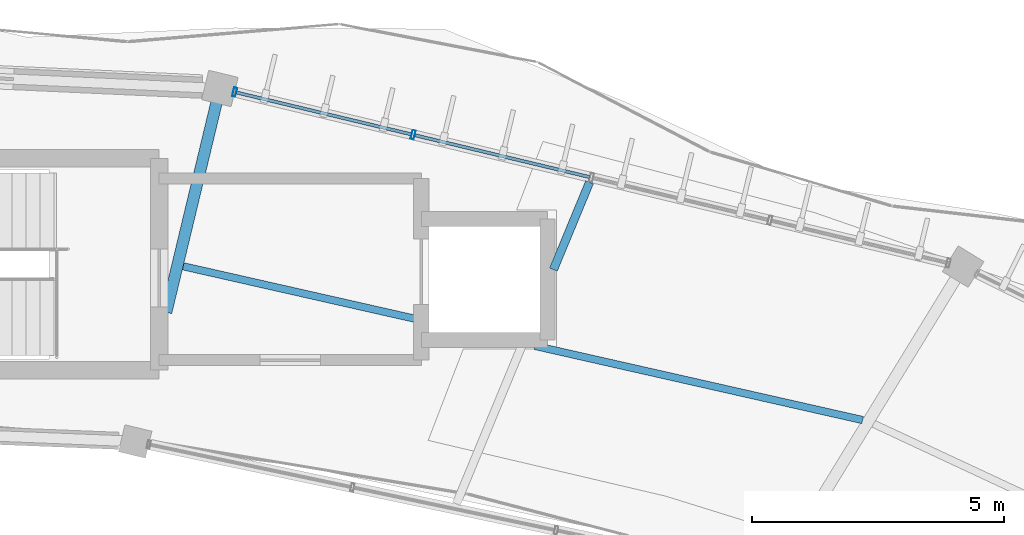
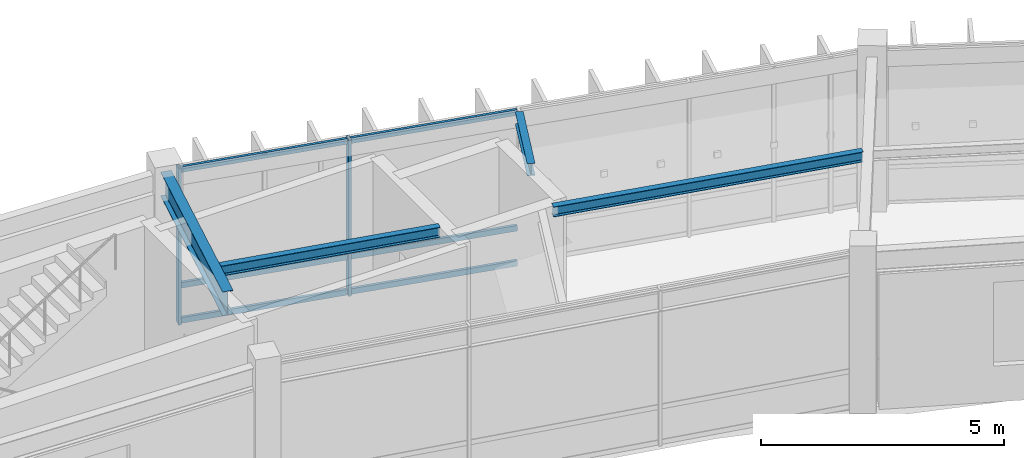
# One storey, part 49 of 83: 8 members, 4 beams, 1 element without a shape of its own.
"""IFC4 building model written with IfcOpenShell, lengths in metres."""

import ifcopenshell
import ifcopenshell.guid

model = None  # the IFC model being written
_history = None  # IfcOwnerHistory: only IFC2X3 demands one
_inside = {}  # id of a spatial element -> (the spatial element, [elements in it])
_under = {}  # id of a project, library or spatial element -> (it, [spatial elements below it])
_declared = {}  # id of a project -> (the project, [libraries it declares])
_typed = {}  # id of a type object -> (the type object, [elements of that type])
_made_of = {}  # id of a material, layer set ... -> (it, [elements and type objects made of it])


def new_model(schema):
    """Start an empty IFC model of exactly this schema.

    Asked for "IFC4X3", IfcOpenShell would pick the latest addendum, in which some entities
    have other attributes; the version numbers below select the first issue.
    IFC2X3 requires an IfcOwnerHistory on every rooted entity: one is made here for all.
    """
    global model, _history
    if schema == "IFC4X3":
        model = ifcopenshell.file(schema_version=(4, 3, 0, 0))
    else:
        model = ifcopenshell.file(schema=schema)
    _inside.clear()
    _under.clear()
    _declared.clear()
    _typed.clear()
    _made_of.clear()
    _history = None
    if model.schema == "IFC2X3":
        org = make("IfcOrganization", Name="unknown")
        user = make(
            "IfcPersonAndOrganization",
            ThePerson=make("IfcPerson", FamilyName="unknown"),
            TheOrganization=org,
        )
        app = make(
            "IfcApplication",
            ApplicationDeveloper=org,
            Version="unknown",
            ApplicationFullName="unknown",
            ApplicationIdentifier="unknown",
        )
        _history = make(
            "IfcOwnerHistory",
            OwningUser=user,
            OwningApplication=app,
            ChangeAction="ADDED",
            CreationDate=0,
        )
    return model


def make(cls, **values):
    """One entity of the class cls with the attributes given. An attribute that is None is left unset."""
    return model.create_entity(
        cls, **{name: value for name, value in values.items() if value is not None}
    )


def rooted(cls, **values):
    """An entity with a GlobalId (a new one), such as an element, a storey or a relation."""
    return make(cls, GlobalId=ifcopenshell.guid.new(), OwnerHistory=_history, **values)


def si_unit(unit_type, name, prefix=None):
    """IfcSIUnit, for example si_unit("LENGTHUNIT", "METRE", prefix="MILLI")."""
    return make("IfcSIUnit", UnitType=unit_type, Prefix=prefix, Name=name)


def assignment(units):
    """IfcUnitAssignment: the units of a project."""
    return None if units is None else make("IfcUnitAssignment", Units=units)


def point(xyz):
    """IfcCartesianPoint."""
    return None if xyz is None else make("IfcCartesianPoint", Coordinates=xyz)


def direction(xyz):
    """IfcDirection."""
    return None if xyz is None else make("IfcDirection", DirectionRatios=xyz)


def frame(location, z_axis=None, x_axis=None):
    """IfcAxis2Placement3D, a coordinate frame: its origin and axes. An axis left out is left unset."""
    return make(
        "IfcAxis2Placement3D",
        Location=point(location),
        Axis=direction(z_axis),
        RefDirection=direction(x_axis),
    )


def frame_2d(location, x_axis=None):
    """IfcAxis2Placement2D, a coordinate frame in the plane: its origin and x axis."""
    return make(
        "IfcAxis2Placement2D", Location=point(location), RefDirection=direction(x_axis)
    )


def origin():
    """The frame at (0, 0, 0) with its axes left unset."""
    return frame((0.0, 0.0, 0.0))


def origin_2d():
    """The frame at (0, 0) in the plane with its x axis left unset."""
    return frame_2d((0.0, 0.0))


def place(relative_to, where):
    """IfcLocalPlacement: puts the frame where relative to a parent placement (None: the world)."""
    return make(
        "IfcLocalPlacement", PlacementRelTo=relative_to, RelativePlacement=where
    )


def context(
    kind, dimensions, precision=None, world=None, true_north=None, identifier=None
):
    """IfcGeometricRepresentationContext, for example the 3D "Model" context."""
    return make(
        "IfcGeometricRepresentationContext",
        ContextIdentifier=identifier,
        ContextType=kind,
        CoordinateSpaceDimension=dimensions,
        Precision=precision,
        WorldCoordinateSystem=world,
        TrueNorth=true_north,
    )


def subcontext(parent, identifier, kind, view, scale=None):
    """IfcGeometricRepresentationSubContext, for example "Body" below "Model"."""
    return make(
        "IfcGeometricRepresentationSubContext",
        ContextIdentifier=identifier,
        ContextType=kind,
        ParentContext=parent,
        TargetScale=scale,
        TargetView=view,
    )


def project(units=None, contexts=None):
    """IfcProject with its units and contexts."""
    return rooted(
        "IfcProject",
        Name="project",
        RepresentationContexts=contexts,
        UnitsInContext=assignment(units),
    )


def spatial(cls, under=None, at=None, **own):
    """A site, building, storey or space (cls), placed at a placement, below another one or the project."""
    s = rooted(cls, ObjectPlacement=at, **own)
    if under is not None:
        _under.setdefault(under.id(), (under, []))[1].append(s)
    return s


def profile(cls, at=None, kind="AREA", **sizes):
    """A parametric profile (cls). Its sizes go by their IFC names, for example OverallWidth=200.0."""
    return make(cls, ProfileType=kind, Position=at, **sizes)


def hollow_rectangle(**sizes):
    """IfcRectangleHollowProfileDef."""
    return profile("IfcRectangleHollowProfileDef", **sizes)


def i_section(**sizes):
    """IfcIShapeProfileDef."""
    return profile("IfcIShapeProfileDef", **sizes)


def extrude(swept, where, along, depth):
    """IfcExtrudedAreaSolid: the profile swept, set in the frame where, extruded along a direction by depth."""
    return make(
        "IfcExtrudedAreaSolid",
        SweptArea=swept,
        Position=where,
        ExtrudedDirection=direction(along),
        Depth=depth,
    )


def shape(context_of_items, identifier, shape_type, items):
    """IfcShapeRepresentation: the items that make up one representation, for example the "Body"."""
    return make(
        "IfcShapeRepresentation",
        ContextOfItems=context_of_items,
        RepresentationIdentifier=identifier,
        RepresentationType=shape_type,
        Items=items,
    )


def material(Name=None, Category=None):
    """IfcMaterial."""
    return make("IfcMaterial", Name=Name, Category=Category)


def material_profile(
    of_material, cross_section, Name=None, Category=None, Priority=None
):
    """IfcMaterialProfile: a cross section and its material."""
    return make(
        "IfcMaterialProfile",
        Name=Name,
        Material=of_material,
        Profile=cross_section,
        Priority=Priority,
        Category=Category,
    )


def profile_set(profiles, Name=None, composite=None):
    """IfcMaterialProfileSet."""
    return make(
        "IfcMaterialProfileSet",
        Name=Name,
        MaterialProfiles=profiles,
        CompositeProfile=composite,
    )


def made_of(thing, what):
    """Note that an element or type object is made of a material, layer set ...; save() writes the relation."""
    if what is not None:
        _made_of.setdefault(what.id(), (what, []))[1].append(thing)
    return thing


def type_object(cls, material=None, **own):
    """A type object (cls), such as IfcWallType, which elements share."""
    return made_of(rooted(cls, **own), material)


def element(
    cls,
    number,
    at=None,
    inside=None,
    cuts=None,
    type_object=None,
    material=None,
    context=None,
    identifier="Body",
    shape_type=None,
    held_by="IfcProductDefinitionShape",
    body=None,
    shapes=None,
    **own,
):
    """One element of the class cls, such as IfcWall. Its Tag is "e" and its number.

    at: its placement. inside: the storey or other place that contains it. cuts: it is an
    opening in that element (IfcRelVoidsElement). A single representation is given by context,
    identifier, shape_type and body (its items); several are given by shapes. held_by: the class
    of the entity that holds the representations. save() writes the other relations.
    """
    e = rooted(cls, Tag="e%d" % number, ObjectPlacement=at, **own)
    if body is not None:
        shapes = [shape(context, identifier, shape_type, body)]
    if shapes is not None:
        e.Representation = make(held_by, Representations=shapes)
    if inside is not None:
        _inside.setdefault(inside.id(), (inside, []))[1].append(e)
    if cuts is not None:
        rooted(
            "IfcRelVoidsElement", RelatingBuildingElement=cuts, RelatedOpeningElement=e
        )
    if type_object is not None:
        _typed.setdefault(type_object.id(), (type_object, []))[1].append(e)
    return made_of(e, material)


def aggregate(whole, parts):
    """IfcRelAggregates: a whole, such as a stair, and the parts it consists of."""
    return rooted("IfcRelAggregates", RelatingObject=whole, RelatedObjects=parts)


def save(model, path):
    """Write the relations noted so far, then the file.

    IfcRelAggregates (storeys below a building ...), IfcRelContainedInSpatialStructure (elements
    in a storey), IfcRelDefinesByType, IfcRelAssociatesMaterial and IfcRelDeclares: one each for
    every whole, place, type object, material and project.
    """
    for whole, parts in _under.values():
        aggregate(whole, parts)
    for where, things in _inside.values():
        rooted(
            "IfcRelContainedInSpatialStructure",
            RelatedElements=things,
            RelatingStructure=where,
        )
    for kind, things in _typed.values():
        rooted("IfcRelDefinesByType", RelatedObjects=things, RelatingType=kind)
    for what, things in _made_of.values():
        rooted("IfcRelAssociatesMaterial", RelatedObjects=things, RelatingMaterial=what)
    for by, libraries in _declared.values():
        rooted("IfcRelDeclares", RelatingContext=by, RelatedDefinitions=libraries)
    model.write(path)


model = new_model("IFC4")

# Units and contexts
model_context = context("Model", 3, precision=1e-05, world=origin(), true_north=direction((0.0, 1.0)))
body_context = subcontext(model_context, "Body", "Model", "MODEL_VIEW")
ifc_project = project(units=[si_unit("LENGTHUNIT", "METRE"), si_unit("AREAUNIT", "SQUARE_METRE"), si_unit("VOLUMEUNIT", "CUBIC_METRE"), si_unit("PLANEANGLEUNIT", "RADIAN"), si_unit("MASSUNIT", "GRAM", prefix="KILO"), si_unit("THERMODYNAMICTEMPERATUREUNIT", "KELVIN"), si_unit("POWERUNIT", "WATT")], contexts=[model_context])

# Site, building, storey
site_placement = place(None, origin())
site = spatial("IfcSite", under=ifc_project, at=site_placement, CompositionType="ELEMENT")
building_placement = place(site_placement, origin())
building = spatial("IfcBuilding", under=site, at=building_placement, Name="Darbajah Civic Hall", CompositionType="ELEMENT")
storey_placement = place(building_placement, frame((0.0, 0.0, 18.0)))
storey = spatial("IfcBuildingStorey", under=building, at=storey_placement, Name="L04", CompositionType="ELEMENT", Elevation=18.0)

# Curtain wall, members
ifc_material_1 = material(Name="Anodised Bronze Aluminium and Low-E Glazing", Category="aluminium")
curtain_wall_type = type_object("IfcCurtainWallType", Name="Unitised Curtain Wall CW-64 14600x3900", PredefinedType="USERDEFINED", material=ifc_material_1)
curtain_wall_placement = place(storey_placement, origin())
curtain_wall = element("IfcCurtainWall", 1, at=curtain_wall_placement, inside=storey, type_object=curtain_wall_type, Name="L04 unitised curtain wall CW-V1O-L04-03", ObjectType="UNITISED CURTAIN WALL", PredefinedType="USERDEFINED")
ifc_material_2 = material(Name="Anodised Bronze Aluminium", Category="aluminium")
ifc_material_profile_1 = material_profile(ifc_material_2, hollow_rectangle(XDim=0.06494140625, YDim=0.179931640625, WallThickness=0.00390625, at=origin_2d()), Name="ALU MULLION 65x180")
ifc_profile_set_1 = profile_set([ifc_material_profile_1], Name="Anodised Bronze Aluminium")
member_type_1 = type_object("IfcMemberType", Name="ALU MULLION 65x180", PredefinedType="MULLION", material=ifc_profile_set_1)
member_1_placement = place(storey_placement, frame((104.837890625, 117.566650390625, 0.0), z_axis=(0.0, 0.0, 1.0), x_axis=(-0.972492018808, 0.232936200179, 0.0)))
member_1 = element("IfcMember", 2, at=member_1_placement, type_object=member_type_1, Name="CW-V1O-L04-03 mullion 4", PredefinedType="MULLION", context=body_context, shape_type="SweptSolid", body=[
    extrude(hollow_rectangle(XDim=0.06494140625, YDim=0.179931640625, WallThickness=0.00390625, at=origin_2d()), origin(), (0.0, 0.0, 1.0), 3.919921875),
])
member_2_placement = place(storey_placement, frame((101.29931640625, 118.41455078125, 0.0), z_axis=(0.0, 0.0, 1.0), x_axis=(-0.972492018808, 0.232936200179, 0.0)))
member_2 = element("IfcMember", 3, at=member_2_placement, type_object=member_type_1, Name="CW-V1O-L04-03 mullion 5", PredefinedType="MULLION", context=body_context, shape_type="SweptSolid", body=[
    extrude(hollow_rectangle(XDim=0.06494140625, YDim=0.179931640625, WallThickness=0.00390625, at=origin_2d()), origin(), (0.0, 0.0, 1.0), 3.919921875),
])
ifc_material_profile_2 = material_profile(ifc_material_2, hollow_rectangle(XDim=0.06494140625, YDim=0.139892578125, WallThickness=0.00341796875, at=origin_2d()), Name="ALU TRANSOM 65x140")
ifc_profile_set_2 = profile_set([ifc_material_profile_2], Name="Anodised Bronze Aluminium")
member_type_2 = type_object("IfcMemberType", Name="ALU TRANSOM 65x140", PredefinedType="USERDEFINED", material=ifc_profile_set_2)
member_3_placement = place(storey_placement, frame((108.340087890625, 116.7275390625, 0.070068359375), z_axis=(-0.972461874501, 0.233062014586, 0.0), x_axis=(-0.233062014586, -0.972461874501, 0.0)))
member_3 = element("IfcMember", 4, at=member_3_placement, type_object=member_type_2, Name="CW-V1O-L04-03 transom 3.1", ObjectType="TRANSOM", PredefinedType="USERDEFINED", context=body_context, shape_type="SweptSolid", body=[
    extrude(hollow_rectangle(XDim=0.06494140625, YDim=0.139892578125, WallThickness=0.00341796875, at=origin_2d()), origin(), (0.0, 0.0, 1.0), 3.563720703125),
])
member_4_placement = place(storey_placement, frame((108.340087890625, 116.7275390625, 0.949951171875), z_axis=(-0.972461874501, 0.233062014586, 0.0), x_axis=(-0.233062014586, -0.972461874501, 0.0)))
member_4 = element("IfcMember", 5, at=member_4_placement, type_object=member_type_2, Name="CW-V1O-L04-03 transom 3.2", ObjectType="TRANSOM", PredefinedType="USERDEFINED", context=body_context, shape_type="SweptSolid", body=[
    extrude(hollow_rectangle(XDim=0.06494140625, YDim=0.139892578125, WallThickness=0.00341796875, at=origin_2d()), origin(), (0.0, 0.0, 1.0), 3.563720703125),
])
member_5_placement = place(storey_placement, frame((108.340087890625, 116.7275390625, 3.85009765625), z_axis=(-0.972461874501, 0.233062014586, 0.0), x_axis=(-0.233062014586, -0.972461874501, 0.0)))
member_5 = element("IfcMember", 6, at=member_5_placement, type_object=member_type_2, Name="CW-V1O-L04-03 transom 3.3", ObjectType="TRANSOM", PredefinedType="USERDEFINED", context=body_context, shape_type="SweptSolid", body=[
    extrude(hollow_rectangle(XDim=0.06494140625, YDim=0.139892578125, WallThickness=0.00341796875, at=origin_2d()), origin(), (0.0, 0.0, 1.0), 3.563720703125),
])
member_6_placement = place(storey_placement, frame((104.801513671875, 117.575439453125, 0.070068359375), z_axis=(-0.972477399366, 0.232997226857, 0.0), x_axis=(-0.232997226857, -0.972477399366, 0.0)))
member_6 = element("IfcMember", 7, at=member_6_placement, type_object=member_type_2, Name="CW-V1O-L04-03 transom 4.1", ObjectType="TRANSOM", PredefinedType="USERDEFINED", context=body_context, shape_type="SweptSolid", body=[
    extrude(hollow_rectangle(XDim=0.06494140625, YDim=0.139892578125, WallThickness=0.00341796875, at=origin_2d()), origin(), (0.0, 0.0, 1.0), 3.563720703125),
])
member_7_placement = place(storey_placement, frame((104.801513671875, 117.575439453125, 0.949951171875), z_axis=(-0.972477399366, 0.232997226857, 0.0), x_axis=(-0.232997226857, -0.972477399366, 0.0)))
member_7 = element("IfcMember", 8, at=member_7_placement, type_object=member_type_2, Name="CW-V1O-L04-03 transom 4.2", ObjectType="TRANSOM", PredefinedType="USERDEFINED", context=body_context, shape_type="SweptSolid", body=[
    extrude(hollow_rectangle(XDim=0.06494140625, YDim=0.139892578125, WallThickness=0.00341796875, at=origin_2d()), origin(), (0.0, 0.0, 1.0), 3.563720703125),
])
member_8_placement = place(storey_placement, frame((104.801513671875, 117.575439453125, 3.85009765625), z_axis=(-0.972477399366, 0.232997226857, 0.0), x_axis=(-0.232997226857, -0.972477399366, 0.0)))
member_8 = element("IfcMember", 9, at=member_8_placement, type_object=member_type_2, Name="CW-V1O-L04-03 transom 4.3", ObjectType="TRANSOM", PredefinedType="USERDEFINED", context=body_context, shape_type="SweptSolid", body=[
    extrude(hollow_rectangle(XDim=0.06494140625, YDim=0.139892578125, WallThickness=0.00341796875, at=origin_2d()), origin(), (0.0, 0.0, 1.0), 3.563720703125),
])
aggregate(curtain_wall, [member_1, member_2, member_3, member_4, member_5, member_6, member_7, member_8])

# Beams
ifc_material_3 = material(Name="Steel S355JR", Category="steel")
ifc_material_profile_3 = material_profile(ifc_material_3, i_section(OverallWidth=0.146484375, OverallDepth=0.256103515625, WebThickness=0.00634765625, FlangeThickness=0.010986328125, FilletRadius=0.007568359375, at=origin_2d()), Name="UB 254x146x37")
ifc_profile_set_3 = profile_set([ifc_material_profile_3], Name="Steel S355JR")
beam_type_1 = type_object("IfcBeamType", Name="UB 254x146x37", PredefinedType="JOIST", material=ifc_profile_set_3)
beam_1_placement = place(storey_placement, frame((113.75341796875, 111.908935546875, 3.7919921875), z_axis=(-0.975333988731, 0.220734252953, 0.0), x_axis=(-0.220734252953, -0.975333988731, 0.0)))
element("IfcBeam", 10, at=beam_1_placement, inside=storey, type_object=beam_type_1, Name="L04 beam SJ-254", PredefinedType="JOIST", context=body_context, shape_type="SweptSolid", body=[
    extrude(i_section(OverallWidth=0.146484375, OverallDepth=0.256103515625, WebThickness=0.00634765625, FlangeThickness=0.010986328125, FilletRadius=0.007568359375, at=origin_2d()), origin(), (0.0, 0.0, 1.0), 6.663818359375),
])
beam_2_placement = place(storey_placement, frame((104.8798828125, 113.917236328125, 3.7919921875), z_axis=(-0.97532969835, 0.220753209527, 0.0), x_axis=(-0.220753209527, -0.97532969835, 0.0)))
element("IfcBeam", 11, at=beam_2_placement, inside=storey, type_object=beam_type_1, Name="L04 beam SJ-254", PredefinedType="JOIST", context=body_context, shape_type="SweptSolid", body=[
    extrude(i_section(OverallWidth=0.146484375, OverallDepth=0.256103515625, WebThickness=0.00634765625, FlangeThickness=0.010986328125, FilletRadius=0.007568359375, at=origin_2d()), origin(), (0.0, 0.0, 1.0), 4.718017578125),
])
ifc_material_profile_4 = material_profile(ifc_material_3, i_section(OverallWidth=0.165771484375, OverallDepth=0.306640625, WebThickness=0.006591796875, FlangeThickness=0.01171875, FilletRadius=0.0087890625, at=origin_2d()), Name="UB 305x165x46")
ifc_profile_set_4 = profile_set([ifc_material_profile_4], Name="Steel S355JR")
beam_type_2 = type_object("IfcBeamType", Name="UB 305x165x46", PredefinedType="JOIST", material=ifc_profile_set_4)
beam_3_placement = place(storey_placement, frame((107.6201171875, 114.892578125, 3.7666015625), z_axis=(0.382589483091, 0.923918441978, 0.0), x_axis=(-0.923918441978, 0.382589483091, 0.0)))
element("IfcBeam", 12, at=beam_3_placement, inside=storey, type_object=beam_type_2, Name="L04 beam SJ-305", PredefinedType="JOIST", context=body_context, shape_type="SweptSolid", body=[
    extrude(i_section(OverallWidth=0.165771484375, OverallDepth=0.306640625, WebThickness=0.006591796875, FlangeThickness=0.01171875, FilletRadius=0.0087890625, at=origin_2d()), origin(), (0.0, 0.0, 1.0), 1.874755859375),
])
ifc_material_profile_5 = material_profile(ifc_material_3, i_section(OverallWidth=0.228271484375, OverallDepth=0.607666015625, WebThickness=0.010986328125, FlangeThickness=0.017333984375, FilletRadius=0.0126953125, at=origin_2d()), Name="UB 610x229x113")
ifc_profile_set_5 = profile_set([ifc_material_profile_5], Name="Steel S355JR")
beam_type_3 = type_object("IfcBeamType", Name="UB 610x229x113", PredefinedType="BEAM", material=ifc_profile_set_5)
beam_4_placement = place(storey_placement, frame((99.93994140625, 114.0458984375, 3.6162109375), z_axis=(0.233469714674, 0.972364073961, 0.0), x_axis=(-0.972364073961, 0.233469714674, 0.0)))
element("IfcBeam", 13, at=beam_4_placement, inside=storey, type_object=beam_type_3, Name="L04 beam SB-610", PredefinedType="BEAM", context=body_context, shape_type="SweptSolid", body=[
    extrude(i_section(OverallWidth=0.228271484375, OverallDepth=0.607666015625, WebThickness=0.010986328125, FlangeThickness=0.017333984375, FilletRadius=0.0126953125, at=origin_2d()), origin(), (0.0, 0.0, 1.0), 4.485107421875),
])

save(model, "model.ifc")
